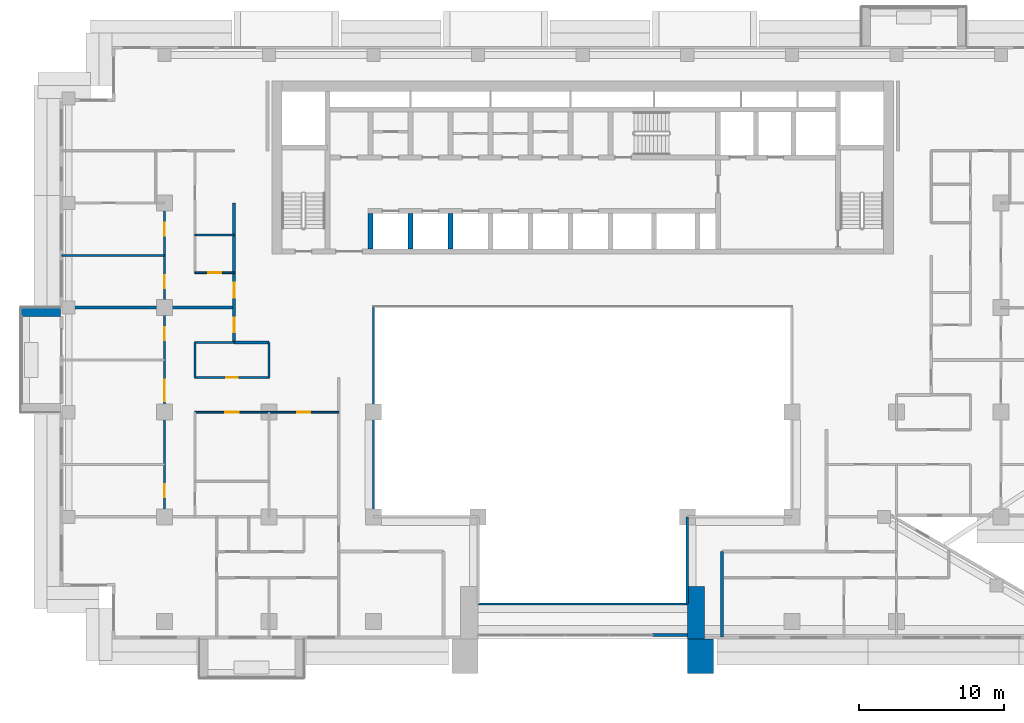
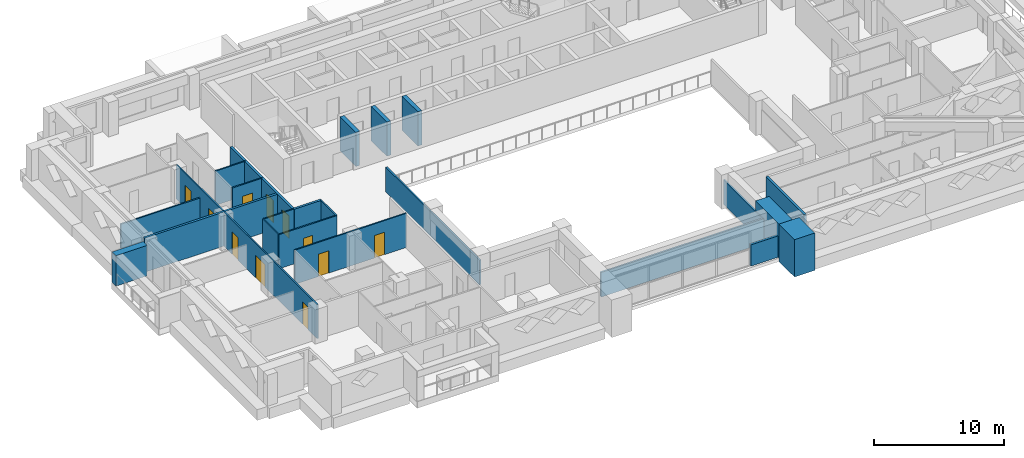
# One storey, part 7 of 19: 23 walls, 11 doors, 11 openings.
"""IFC4 building model written with IfcOpenShell, lengths in metres."""

from ifc_helpers import new_model, si_unit, direction, frame, frame_2d, origin, place, context, subcontext, project, spatial, rectangle, extrude, material, layer, layer_set, type_object, element, fill, save


model = new_model("IFC4")

# Units and contexts
model_context = context("Model", 3, precision=1e-05, world=origin(), true_north=direction((0.0, 1.0)))
body_context = subcontext(model_context, "Body", "Model", "MODEL_VIEW")
ifc_project = project(units=[si_unit("LENGTHUNIT", "METRE"), si_unit("AREAUNIT", "SQUARE_METRE"), si_unit("VOLUMEUNIT", "CUBIC_METRE"), si_unit("PLANEANGLEUNIT", "RADIAN"), si_unit("MASSUNIT", "GRAM", prefix="KILO")], contexts=[model_context])

# Site, building, storey
site_placement = place(None, origin())
site = spatial("IfcSite", under=ifc_project, at=site_placement, CompositionType="ELEMENT")
building_placement = place(site_placement, origin())
building = spatial("IfcBuilding", under=site, at=building_placement, Name="Saffron Iwan Residences", CompositionType="ELEMENT")
storey_placement = place(building_placement, frame((0.0, 0.0, 120.0)))
storey = spatial("IfcBuildingStorey", under=building, at=storey_placement, Name="L31", CompositionType="ELEMENT", Elevation=120.0)

# Walls
ifc_material_1 = material(Name="Fire-rated glazing", Category="glass")
ifc_layer_1 = layer(ifc_material_1, 0.14990234375)
ifc_layer_set_1 = layer_set([ifc_layer_1], Name="Fire-rated glazing")
wall_type_1 = type_object("IfcWallType", Name="Atrium glazed screen 150", PredefinedType="SOLIDWALL", material=ifc_layer_set_1)
wall_1_placement = place(storey_placement, frame((43.199951171875, 42.0, 0.0), z_axis=(0.0, 0.0, 1.0), x_axis=(1.0, 0.0, 0.0)))
element("IfcWall", 1, at=wall_1_placement, inside=storey, type_object=wall_type_1, Name="W-L31-SCREEN-h42-43.2", PredefinedType="SOLIDWALL", context=body_context, shape_type="SweptSolid", body=[
    extrude(rectangle(XDim=14.400146484375, YDim=0.14990234375, at=frame_2d((7.2001953125, 0.0))), origin(), (0.0, 0.0, 1.0), 2.300048828125),
])
wall_2_placement = place(storey_placement, frame((36.0, 48.0, 0.0), z_axis=(0.0, 0.0, 1.0), x_axis=(0.0, 1.0, 0.0)))
element("IfcWall", 2, at=wall_2_placement, inside=storey, type_object=wall_type_1, Name="W-L31-SCREEN-v36-48", PredefinedType="SOLIDWALL", context=body_context, shape_type="SweptSolid", body=[
    extrude(rectangle(XDim=14.39990234375, YDim=0.14990234375, at=frame_2d((7.199951171875, 0.0))), origin(), (0.0, 0.0, 1.0), 2.300048828125),
])
wall_3_placement = place(storey_placement, frame((57.60009765625, 42.0, 0.0), z_axis=(0.0, 0.0, 1.0), x_axis=(0.0, 1.0, 0.0)))
element("IfcWall", 3, at=wall_3_placement, inside=storey, type_object=wall_type_1, Name="W-L31-SCREEN-v57.6-42", PredefinedType="SOLIDWALL", context=body_context, shape_type="SweptSolid", body=[
    extrude(rectangle(XDim=6.0, YDim=0.14990234375, at=frame_2d((3.0, 0.0))), origin(), (0.0, 0.0, 1.0), 2.300048828125),
])
ifc_material_2 = material(Name="Concrete C50/60 white painted", Category="concrete")
ifc_layer_2 = layer(ifc_material_2, 0.60009765625)
ifc_layer_set_2 = layer_set([ifc_layer_2], Name="Concrete C50/60 white painted")
wall_type_2 = type_object("IfcWallType", Name="BALCONY FIN 600", PredefinedType="SOLIDWALL", material=ifc_layer_set_2)
wall_4_placement = place(storey_placement, frame((14.449951171875, 62.10009765625, 0.0), z_axis=(0.0, 0.0, 1.0), x_axis=(-1.0, 0.0, 0.0)))
element("IfcWall", 4, at=wall_4_placement, inside=storey, type_object=wall_type_2, Name="Balcony fin L31 F8-0a", PredefinedType="SOLIDWALL", context=body_context, shape_type="SweptSolid", body=[
    extrude(rectangle(XDim=2.75, YDim=0.60009765625, at=frame_2d((1.375, 0.0))), origin(), (0.0, 0.0, 1.0), 2.85009765625),
])
ifc_material_3 = material(Name="Concrete C40/50", Category="concrete")
ifc_layer_3 = layer(ifc_material_3, 0.199951171875)
ifc_layer_set_3 = layer_set([ifc_layer_3], Name="Concrete C40/50")
wall_type_3 = type_object("IfcWallType", Name="EXTERNAL WALL 200", PredefinedType="SOLIDWALL", material=ifc_layer_set_3)
wall_5_placement = place(storey_placement, frame((55.199951171875, 39.85009765625, 0.0), z_axis=(0.0, 0.0, 1.0), x_axis=(1.0, 0.0, 0.0)))
element("IfcWall", 5, at=wall_5_placement, inside=storey, type_object=wall_type_3, Name="External wall infill CWB-L31-0", PredefinedType="SOLIDWALL", context=body_context, shape_type="SweptSolid", body=[
    extrude(rectangle(XDim=2.400146484375, YDim=0.199951171875, at=frame_2d((1.2001953125, 0.0))), origin(), (0.0, 0.0, 1.0), 2.0),
])
ifc_material_4 = material(Name="Fire-rated gypsum board wall")
ifc_layer_4 = layer(ifc_material_4, 0.199951171875)
ifc_layer_set_4 = layer_set([ifc_layer_4], Name="Fire-rated gypsum board wall")
wall_type_4 = type_object("IfcWallType", Name="Flat demising wall 200", PredefinedType="SOLIDWALL", material=ifc_layer_set_4)
wall_6_placement = place(storey_placement, frame((14.52490234375, 62.39990234375, 0.0), z_axis=(0.0, 0.0, 1.0), x_axis=(1.0, 0.0, 0.0)))
element("IfcWall", 6, at=wall_6_placement, inside=storey, type_object=wall_type_4, Name="W-L31-DEMISE-h62.4-14.525", PredefinedType="SOLIDWALL", context=body_context, shape_type="SweptSolid", body=[
    extrude(rectangle(XDim=11.875, YDim=0.199951171875, at=frame_2d((5.9375, 0.0))), origin(), (0.0, 0.0, 1.0), 3.199951171875),
])

# Wall, openings, doors
ifc_material_5 = material(Name="Gypsum board partition")
ifc_layer_5 = layer(ifc_material_5, 0.1201171875)
ifc_layer_set_5 = layer_set([ifc_layer_5], Name="Gypsum board partition")
wall_type_5 = type_object("IfcWallType", Name="Flat partition 120", PredefinedType="PARTITIONING", material=ifc_layer_set_5)
wall_7_placement = place(storey_placement, frame((23.699951171875, 55.199951171875, 0.0), z_axis=(0.0, 0.0, 1.0), x_axis=(1.0, 0.0, 0.0)))
wall_7 = element("IfcWall", 7, at=wall_7_placement, inside=storey, type_object=wall_type_5, Name="W-L31-PART-h55.2-23.7", PredefinedType="PARTITIONING", context=body_context, shape_type="SweptSolid", body=[
    extrude(rectangle(XDim=9.900146484375, YDim=0.1201171875, at=frame_2d((4.9501953125, 0.0))), origin(), (0.0, 0.0, 1.0), 3.199951171875),
])
opening_1_placement = place(wall_7_placement, frame((2.10009765625, 0.0, 0.0)))
opening_1 = element("IfcOpeningElement", 8, at=opening_1_placement, cuts=wall_7, Name="Opening FD2", PredefinedType="OPENING", context=body_context, shape_type="SweptSolid", body=[
    extrude(rectangle(XDim=0.89990234375, YDim=2.10009765625, at=frame_2d((0.449951171875, 1.050048828125))), frame((0.0, 0.070068359375, 0.0), z_axis=(0.0, -1.0, 0.0), x_axis=(1.0, 0.0, 0.0)), (0.0, 0.0, 1.0), 0.14013671875),
])
opening_2_placement = place(wall_7_placement, frame((7.050048828125, 0.0, 0.0)))
opening_2 = element("IfcOpeningElement", 9, at=opening_2_placement, cuts=wall_7, Name="Opening FD2", PredefinedType="OPENING", context=body_context, shape_type="SweptSolid", body=[
    extrude(rectangle(XDim=0.89990234375, YDim=2.10009765625, at=frame_2d((0.449951171875, 1.050048828125))), frame((0.0, 0.070068359375, 0.0), z_axis=(0.0, -1.0, 0.0), x_axis=(1.0, 0.0, 0.0)), (0.0, 0.0, 1.0), 0.14013671875),
])
ifc_material_6 = material(Name="Timber door", Category="wood")
door_type_1 = type_object("IfcDoorType", Name="Flat door 900", OperationType="NOTDEFINED", PredefinedType="DOOR", material=ifc_material_6)
door_1_placement = place(opening_1_placement, origin())
door_1 = element("IfcDoor", 10, at=door_1_placement, inside=storey, type_object=door_type_1, Name="Door L31-013", OperationType="SINGLE_SWING_LEFT", OverallHeight=2.10009765625, OverallWidth=0.89990234375, PredefinedType="DOOR", context=body_context, shape_type="SweptSolid", body=[
    extrude(rectangle(XDim=0.89990234375, YDim=2.10009765625, at=frame_2d((0.449951171875, 1.050048828125))), frame((0.0, 0.02490234375, 0.0), z_axis=(0.0, -1.0, 0.0), x_axis=(1.0, 0.0, 0.0)), (0.0, 0.0, 1.0), 0.050048828125),
])
fill(opening_1, door_1)
door_2_placement = place(opening_2_placement, origin())
door_2 = element("IfcDoor", 11, at=door_2_placement, inside=storey, type_object=door_type_1, Name="Door L31-015", OperationType="SINGLE_SWING_RIGHT", OverallHeight=2.10009765625, OverallWidth=0.89990234375, PredefinedType="DOOR", context=body_context, shape_type="SweptSolid", body=[
    extrude(rectangle(XDim=0.89990234375, YDim=2.10009765625, at=frame_2d((0.449951171875, 1.050048828125))), frame((0.0, 0.02490234375, 0.0), z_axis=(0.0, -1.0, 0.0), x_axis=(1.0, 0.0, 0.0)), (0.0, 0.0, 1.0), 0.050048828125),
])
fill(opening_2, door_2)

# Wall, opening, door
wall_8_placement = place(storey_placement, frame((23.699951171875, 57.60009765625, 0.0), z_axis=(0.0, 0.0, 1.0), x_axis=(1.0, 0.0, 0.0)))
wall_8 = element("IfcWall", 12, at=wall_8_placement, inside=storey, type_object=wall_type_5, Name="W-L31-PART-h57.6-23.7", PredefinedType="PARTITIONING", context=body_context, shape_type="SweptSolid", body=[
    extrude(rectangle(XDim=5.10009765625, YDim=0.1201171875, at=frame_2d((2.550048828125, 0.0))), origin(), (0.0, 0.0, 1.0), 3.199951171875),
])
opening_3_placement = place(wall_8_placement, frame((2.14990234375, 0.0, 0.0)))
opening_3 = element("IfcOpeningElement", 13, at=opening_3_placement, cuts=wall_8, Name="Opening FD3", PredefinedType="OPENING", context=body_context, shape_type="SweptSolid", body=[
    extrude(rectangle(XDim=0.800048828125, YDim=2.10009765625, at=frame_2d((0.39990234375, 1.050048828125))), frame((0.0, 0.070068359375, 0.0), z_axis=(0.0, -1.0, 0.0), x_axis=(1.0, 0.0, 0.0)), (0.0, 0.0, 1.0), 0.14013671875),
])
door_type_2 = type_object("IfcDoorType", Name="Bathroom door 800", OperationType="NOTDEFINED", PredefinedType="DOOR", material=ifc_material_6)
door_3_placement = place(opening_3_placement, origin())
door_3 = element("IfcDoor", 14, at=door_3_placement, inside=storey, type_object=door_type_2, Name="Door L31-014", OperationType="SINGLE_SWING_LEFT", OverallHeight=2.10009765625, OverallWidth=0.800048828125, PredefinedType="DOOR", context=body_context, shape_type="SweptSolid", body=[
    extrude(rectangle(XDim=0.800048828125, YDim=2.10009765625, at=frame_2d((0.39990234375, 1.050048828125))), frame((0.0, 0.02490234375, 0.0), z_axis=(0.0, -1.0, 0.0), x_axis=(1.0, 0.0, 0.0)), (0.0, 0.0, 1.0), 0.050048828125),
])
fill(opening_3, door_3)

# Wall
wall_9_placement = place(storey_placement, frame((23.699951171875, 60.0, 0.0), z_axis=(0.0, 0.0, 1.0), x_axis=(1.0, 0.0, 0.0)))
element("IfcWall", 15, at=wall_9_placement, inside=storey, type_object=wall_type_5, Name="W-L31-PART-h60-23.7", PredefinedType="PARTITIONING", context=body_context, shape_type="SweptSolid", body=[
    extrude(rectangle(XDim=2.699951171875, YDim=0.1201171875, at=frame_2d((1.35009765625, 0.0))), origin(), (0.0, 0.0, 1.0), 3.199951171875),
])

# Wall, opening, door
wall_10_placement = place(storey_placement, frame((23.699951171875, 64.800048828125, 0.0), z_axis=(0.0, 0.0, 1.0), x_axis=(1.0, 0.0, 0.0)))
wall_10 = element("IfcWall", 16, at=wall_10_placement, inside=storey, type_object=wall_type_5, Name="W-L31-PART-h64.8-23.7", PredefinedType="PARTITIONING", context=body_context, shape_type="SweptSolid", body=[
    extrude(rectangle(XDim=2.699951171875, YDim=0.1201171875, at=frame_2d((1.35009765625, 0.0))), origin(), (0.0, 0.0, 1.0), 3.199951171875),
])
opening_4_placement = place(wall_10_placement, frame((0.89990234375, 0.0, 0.0)))
opening_4 = element("IfcOpeningElement", 17, at=opening_4_placement, cuts=wall_10, Name="Opening FD2", PredefinedType="OPENING", context=body_context, shape_type="SweptSolid", body=[
    extrude(rectangle(XDim=0.89990234375, YDim=2.10009765625, at=frame_2d((0.449951171875, 1.050048828125))), frame((0.0, 0.070068359375, 0.0), z_axis=(0.0, -1.0, 0.0), x_axis=(1.0, 0.0, 0.0)), (0.0, 0.0, 1.0), 0.14013671875),
])
door_4_placement = place(opening_4_placement, origin())
door_4 = element("IfcDoor", 18, at=door_4_placement, inside=storey, type_object=door_type_1, Name="Door L31-027", OperationType="SINGLE_SWING_RIGHT", OverallHeight=2.10009765625, OverallWidth=0.89990234375, PredefinedType="DOOR", context=body_context, shape_type="SweptSolid", body=[
    extrude(rectangle(XDim=0.89990234375, YDim=2.10009765625, at=frame_2d((0.449951171875, 1.050048828125))), frame((0.0, 0.02490234375, 0.0), z_axis=(0.0, -1.0, 0.0), x_axis=(1.0, 0.0, 0.0)), (0.0, 0.0, 1.0), 0.050048828125),
])
fill(opening_4, door_4)

# Walls
wall_11_placement = place(storey_placement, frame((14.52490234375, 66.0, 0.0), z_axis=(0.0, 0.0, 1.0), x_axis=(1.0, 0.0, 0.0)))
element("IfcWall", 19, at=wall_11_placement, inside=storey, type_object=wall_type_5, Name="W-L31-PART-h66-14.525", PredefinedType="PARTITIONING", context=body_context, shape_type="SweptSolid", body=[
    extrude(rectangle(XDim=7.0751953125, YDim=0.1201171875, at=frame_2d((3.53759765625, 0.0))), origin(), (0.0, 0.0, 1.0), 2.300048828125),
])
wall_12_placement = place(storey_placement, frame((23.699951171875, 67.39990234375, 0.0), z_axis=(0.0, 0.0, 1.0), x_axis=(1.0, 0.0, 0.0)))
element("IfcWall", 20, at=wall_12_placement, inside=storey, type_object=wall_type_5, Name="W-L31-PART-h67.4-23.7", PredefinedType="PARTITIONING", context=body_context, shape_type="SweptSolid", body=[
    extrude(rectangle(XDim=2.699951171875, YDim=0.1201171875, at=frame_2d((1.35009765625, 0.0))), origin(), (0.0, 0.0, 1.0), 3.199951171875),
])

# Wall, openings, doors
wall_13_placement = place(storey_placement, frame((21.60009765625, 48.0, 0.0), z_axis=(0.0, 0.0, 1.0), x_axis=(0.0, 1.0, 0.0)))
wall_13 = element("IfcWall", 21, at=wall_13_placement, inside=storey, type_object=wall_type_5, Name="W-L31-PART-v21.6-48", PredefinedType="PARTITIONING", context=body_context, shape_type="SweptSolid", body=[
    extrude(rectangle(XDim=21.60009765625, YDim=0.1201171875, at=frame_2d((10.800048828125, 0.0))), origin(), (0.0, 0.0, 1.0), 3.199951171875),
])
opening_5_placement = place(wall_13_placement, frame((1.35009765625, 0.0, 0.0)))
opening_5 = element("IfcOpeningElement", 22, at=opening_5_placement, cuts=wall_13, Name="Opening FD2", PredefinedType="OPENING", context=body_context, shape_type="SweptSolid", body=[
    extrude(rectangle(XDim=0.89990234375, YDim=2.10009765625, at=frame_2d((0.449951171875, 1.050048828125))), frame((0.0, 0.070068359375, 0.0), z_axis=(0.0, -1.0, 0.0), x_axis=(1.0, 0.0, 0.0)), (0.0, 0.0, 1.0), 0.14013671875),
])
opening_6_placement = place(wall_13_placement, frame((7.949951171875, 0.0, 0.0)))
opening_6 = element("IfcOpeningElement", 23, at=opening_6_placement, cuts=wall_13, Name="Opening FD4", PredefinedType="OPENING", context=body_context, shape_type="SweptSolid", body=[
    extrude(rectangle(XDim=1.5, YDim=2.10009765625, at=frame_2d((0.75, 1.050048828125))), frame((0.0, 0.070068359375, 0.0), z_axis=(0.0, -1.0, 0.0), x_axis=(1.0, 0.0, 0.0)), (0.0, 0.0, 1.0), 0.14013671875),
])
opening_7_placement = place(wall_13_placement, frame((12.14990234375, 0.0, 0.0)))
opening_7 = element("IfcOpeningElement", 24, at=opening_7_placement, cuts=wall_13, Name="Opening FD2", PredefinedType="OPENING", context=body_context, shape_type="SweptSolid", body=[
    extrude(rectangle(XDim=0.89990234375, YDim=2.10009765625, at=frame_2d((0.449951171875, 1.050048828125))), frame((0.0, 0.070068359375, 0.0), z_axis=(0.0, -1.0, 0.0), x_axis=(1.0, 0.0, 0.0)), (0.0, 0.0, 1.0), 0.14013671875),
])
opening_8_placement = place(wall_13_placement, frame((15.75, 0.0, 0.0)))
opening_8 = element("IfcOpeningElement", 25, at=opening_8_placement, cuts=wall_13, Name="Opening FD2", PredefinedType="OPENING", context=body_context, shape_type="SweptSolid", body=[
    extrude(rectangle(XDim=0.89990234375, YDim=2.10009765625, at=frame_2d((0.449951171875, 1.050048828125))), frame((0.0, 0.070068359375, 0.0), z_axis=(0.0, -1.0, 0.0), x_axis=(1.0, 0.0, 0.0)), (0.0, 0.0, 1.0), 0.14013671875),
])
opening_9_placement = place(wall_13_placement, frame((19.35009765625, 0.0, 0.0)))
opening_9 = element("IfcOpeningElement", 26, at=opening_9_placement, cuts=wall_13, Name="Opening FD2", PredefinedType="OPENING", context=body_context, shape_type="SweptSolid", body=[
    extrude(rectangle(XDim=0.89990234375, YDim=2.10009765625, at=frame_2d((0.449951171875, 1.050048828125))), frame((0.0, 0.070068359375, 0.0), z_axis=(0.0, -1.0, 0.0), x_axis=(1.0, 0.0, 0.0)), (0.0, 0.0, 1.0), 0.14013671875),
])
door_type_3 = type_object("IfcDoorType", Name="Double door 1500", OperationType="NOTDEFINED", PredefinedType="DOOR", material=ifc_material_6)
door_5_placement = place(opening_6_placement, origin())
door_5 = element("IfcDoor", 27, at=door_5_placement, inside=storey, type_object=door_type_3, Name="Door L31-010", OperationType="SINGLE_SWING_RIGHT", OverallHeight=2.10009765625, OverallWidth=1.5, PredefinedType="DOOR", context=body_context, shape_type="SweptSolid", body=[
    extrude(rectangle(XDim=1.5, YDim=2.10009765625, at=frame_2d((0.75, 1.050048828125))), frame((0.0, 0.02490234375, 0.0), z_axis=(0.0, -1.0, 0.0), x_axis=(1.0, 0.0, 0.0)), (0.0, 0.0, 1.0), 0.050048828125),
])
fill(opening_6, door_5)
door_6_placement = place(opening_5_placement, origin())
door_6 = element("IfcDoor", 28, at=door_6_placement, inside=storey, type_object=door_type_1, Name="Door L31-009", OperationType="SINGLE_SWING_RIGHT", OverallHeight=2.10009765625, OverallWidth=0.89990234375, PredefinedType="DOOR", context=body_context, shape_type="SweptSolid", body=[
    extrude(rectangle(XDim=0.89990234375, YDim=2.10009765625, at=frame_2d((0.449951171875, 1.050048828125))), frame((0.0, 0.02490234375, 0.0), z_axis=(0.0, -1.0, 0.0), x_axis=(1.0, 0.0, 0.0)), (0.0, 0.0, 1.0), 0.050048828125),
])
fill(opening_5, door_6)
door_7_placement = place(opening_7_placement, origin())
door_7 = element("IfcDoor", 29, at=door_7_placement, inside=storey, type_object=door_type_1, Name="Door L31-011", OperationType="SINGLE_SWING_LEFT", OverallHeight=2.10009765625, OverallWidth=0.89990234375, PredefinedType="DOOR", context=body_context, shape_type="SweptSolid", body=[
    extrude(rectangle(XDim=0.89990234375, YDim=2.10009765625, at=frame_2d((0.449951171875, 1.050048828125))), frame((0.0, 0.02490234375, 0.0), z_axis=(0.0, -1.0, 0.0), x_axis=(1.0, 0.0, 0.0)), (0.0, 0.0, 1.0), 0.050048828125),
])
fill(opening_7, door_7)
door_8_placement = place(opening_8_placement, origin())
door_8 = element("IfcDoor", 30, at=door_8_placement, inside=storey, type_object=door_type_1, Name="Door L31-023", OperationType="SINGLE_SWING_LEFT", OverallHeight=2.10009765625, OverallWidth=0.89990234375, PredefinedType="DOOR", context=body_context, shape_type="SweptSolid", body=[
    extrude(rectangle(XDim=0.89990234375, YDim=2.10009765625, at=frame_2d((0.449951171875, 1.050048828125))), frame((0.0, 0.02490234375, 0.0), z_axis=(0.0, -1.0, 0.0), x_axis=(1.0, 0.0, 0.0)), (0.0, 0.0, 1.0), 0.050048828125),
])
fill(opening_8, door_8)
door_9_placement = place(opening_9_placement, origin())
door_9 = element("IfcDoor", 31, at=door_9_placement, inside=storey, type_object=door_type_1, Name="Door L31-024", OperationType="SINGLE_SWING_RIGHT", OverallHeight=2.10009765625, OverallWidth=0.89990234375, PredefinedType="DOOR", context=body_context, shape_type="SweptSolid", body=[
    extrude(rectangle(XDim=0.89990234375, YDim=2.10009765625, at=frame_2d((0.449951171875, 1.050048828125))), frame((0.0, 0.02490234375, 0.0), z_axis=(0.0, -1.0, 0.0), x_axis=(1.0, 0.0, 0.0)), (0.0, 0.0, 1.0), 0.050048828125),
])
fill(opening_9, door_9)

# Walls
for number, where, z_axis, x_axis, name in (
    (32, (23.699951171875, 57.60009765625, 0.0), (0.0, 0.0, 1.0), (0.0, 1.0, 0.0), "W-L31-PART-v23.7-57.6"),
    (33, (28.800048828125, 57.60009765625, 0.0), (0.0, 0.0, 1.0), (0.0, 1.0, 0.0), "W-L31-PART-v28.8-57.6"),
):
    element("IfcWall", number, at=place(storey_placement, frame(where, z_axis=z_axis, x_axis=x_axis)), inside=storey, type_object=wall_type_5, Name=name, PredefinedType="PARTITIONING", context=body_context, shape_type="SweptSolid", body=[
        extrude(rectangle(XDim=2.39990234375, YDim=0.1201171875, at=frame_2d((1.199951171875, 0.0))), origin(), (0.0, 0.0, 1.0), 3.199951171875),
    ])
ifc_layer_6 = layer(ifc_material_4, 0.199951171875)
ifc_layer_set_6 = layer_set([ifc_layer_6], Name="Fire-rated gypsum board wall")
wall_type_6 = type_object("IfcWallType", Name="Gallery wall 200", PredefinedType="SOLIDWALL", material=ifc_layer_set_6)
wall_14_placement = place(storey_placement, frame((26.39990234375, 60.0, 0.0), z_axis=(0.0, 0.0, 1.0), x_axis=(1.0, 0.0, 0.0)))
element("IfcWall", 34, at=wall_14_placement, inside=storey, type_object=wall_type_6, Name="W-L31-CORR-h60-26.4", PredefinedType="SOLIDWALL", context=body_context, shape_type="SweptSolid", body=[
    extrude(rectangle(XDim=2.400146484375, YDim=0.199951171875, at=frame_2d((1.2001953125, 0.0))), origin(), (0.0, 0.0, 1.0), 3.199951171875),
])

# Wall, openings, doors
wall_15_placement = place(storey_placement, frame((26.39990234375, 60.0, 0.0), z_axis=(0.0, 0.0, 1.0), x_axis=(0.0, 1.0, 0.0)))
wall_15 = element("IfcWall", 35, at=wall_15_placement, inside=storey, type_object=wall_type_6, Name="W-L31-CORR-v26.4-60", PredefinedType="SOLIDWALL", context=body_context, shape_type="SweptSolid", body=[
    extrude(rectangle(XDim=9.60009765625, YDim=0.199951171875, at=frame_2d((4.800048828125, 0.0))), origin(), (0.0, 0.0, 1.0), 3.199951171875),
])
opening_10_placement = place(wall_15_placement, frame((0.699951171875, 0.0, 0.0)))
opening_10 = element("IfcOpeningElement", 36, at=opening_10_placement, cuts=wall_15, Name="Opening FD1", PredefinedType="OPENING", context=body_context, shape_type="SweptSolid", body=[
    extrude(rectangle(XDim=1.0, YDim=2.10009765625, at=frame_2d((0.5, 1.050048828125))), frame((0.0, 0.10986328125, 0.0), z_axis=(0.0, -1.0, 0.0), x_axis=(1.0, 0.0, 0.0)), (0.0, 0.0, 1.0), 0.219970703125),
])
opening_11_placement = place(wall_15_placement, frame((3.10009765625, 0.0, 0.0)))
opening_11 = element("IfcOpeningElement", 37, at=opening_11_placement, cuts=wall_15, Name="Opening FD1", PredefinedType="OPENING", context=body_context, shape_type="SweptSolid", body=[
    extrude(rectangle(XDim=1.0, YDim=2.10009765625, at=frame_2d((0.5, 1.050048828125))), frame((0.0, 0.10986328125, 0.0), z_axis=(0.0, -1.0, 0.0), x_axis=(1.0, 0.0, 0.0)), (0.0, 0.0, 1.0), 0.219970703125),
])
ifc_material_7 = material(Name="Fire-rated timber door", Category="wood")
door_type_4 = type_object("IfcDoorType", Name="FD30S flat entrance door 1000", OperationType="NOTDEFINED", PredefinedType="DOOR", material=ifc_material_7)
door_10_placement = place(opening_10_placement, origin())
door_10 = element("IfcDoor", 38, at=door_10_placement, inside=storey, type_object=door_type_4, Name="Door L31-008", OperationType="SINGLE_SWING_LEFT", OverallHeight=2.10009765625, OverallWidth=1.0, PredefinedType="DOOR", context=body_context, shape_type="SweptSolid", body=[
    extrude(rectangle(XDim=1.0, YDim=2.10009765625, at=frame_2d((0.5, 1.050048828125))), frame((0.0, 0.02490234375, 0.0), z_axis=(0.0, -1.0, 0.0), x_axis=(1.0, 0.0, 0.0)), (0.0, 0.0, 1.0), 0.050048828125),
])
fill(opening_10, door_10)
door_11_placement = place(opening_11_placement, origin())
door_11 = element("IfcDoor", 39, at=door_11_placement, inside=storey, type_object=door_type_4, Name="Door L31-022", OperationType="SINGLE_SWING_LEFT", OverallHeight=2.10009765625, OverallWidth=1.0, PredefinedType="DOOR", context=body_context, shape_type="SweptSolid", body=[
    extrude(rectangle(XDim=1.0, YDim=2.10009765625, at=frame_2d((0.5, 1.050048828125))), frame((0.0, 0.02490234375, 0.0), z_axis=(0.0, -1.0, 0.0), x_axis=(1.0, 0.0, 0.0)), (0.0, 0.0, 1.0), 0.050048828125),
])
fill(opening_11, door_11)

# Walls
wall_16_placement = place(storey_placement, frame((60.0, 39.72509765625, 0.0), z_axis=(0.0, 0.0, 1.0), x_axis=(0.0, 1.0, 0.0)))
element("IfcWall", 40, at=wall_16_placement, inside=storey, type_object=wall_type_6, Name="W-L31-CORR-v60-39.725", PredefinedType="SOLIDWALL", context=body_context, shape_type="SweptSolid", body=[
    extrude(rectangle(XDim=5.875, YDim=0.199951171875, at=frame_2d((2.9375, 0.0))), origin(), (0.0, 0.0, 1.0), 3.199951171875),
])
ifc_material_8 = material(Name="Terracotta screen, precast concrete C40/50", Category="masonry")
ifc_layer_7 = layer(ifc_material_8, 1.800048828125)
ifc_layer_set_7 = layer_set([ifc_layer_7], Name="Terracotta screen, precast concrete C40/50")
wall_type_7 = type_object("IfcWallType", Name="Portal pier, precast concrete 1800 (tower)", PredefinedType="SOLIDWALL", material=ifc_layer_set_7)
wall_17_placement = place(storey_placement, frame((58.5, 37.199951171875, -0.300048828125), z_axis=(0.0, 0.0, 1.0), x_axis=(0.0, 1.0, 0.0)))
element("IfcWall", 41, at=wall_17_placement, inside=storey, type_object=wall_type_7, Name="Portal pier E L31", PredefinedType="SOLIDWALL", context=body_context, shape_type="SweptSolid", body=[
    extrude(rectangle(XDim=2.400146484375, YDim=1.800048828125, at=frame_2d((1.2001953125, 0.0))), origin(), (0.0, 0.0, 1.0), 3.5),
])
ifc_material_9 = material(Name="Concrete C50/60", Category="concrete")
ifc_layer_8 = layer(ifc_material_9, 0.35009765625)
ifc_layer_set_8 = layer_set([ifc_layer_8], Name="Concrete C50/60")
wall_type_8 = type_object("IfcWallType", Name="WALL CORE 350 C50/60 3200 HIGH", PredefinedType="SHEAR", material=ifc_layer_set_8)
for number, where, z_axis, x_axis, name in (
    (42, (35.800048828125, 66.449951171875, 0.0), (0.0, 0.0, 1.0), (0.0, 1.0, 0.0), "Core wall"),
    (43, (38.550048828125, 66.449951171875, 0.0), (0.0, 0.0, 1.0), (0.0, 1.0, 0.0), "Core wall"),
    (44, (41.300048828125, 66.449951171875, 0.0), (0.0, 0.0, 1.0), (0.0, 1.0, 0.0), "Core wall"),
):
    element("IfcWall", number, at=place(storey_placement, frame(where, z_axis=z_axis, x_axis=x_axis)), inside=storey, type_object=wall_type_8, Name=name, PredefinedType="SHEAR", context=body_context, shape_type="SweptSolid", body=[
        extrude(rectangle(XDim=2.425048828125, YDim=0.35009765625, at=frame_2d((1.21240234375, 0.0))), origin(), (0.0, 0.0, 1.0), 3.199951171875),
    ])
ifc_layer_9 = layer(ifc_material_9, 1.199951171875)
ifc_layer_set_9 = layer_set([ifc_layer_9], Name="Concrete C50/60")
wall_type_9 = type_object("IfcWallType", Name="WALL IWAN PIER 1200 C50/60 3200 HIGH", PredefinedType="SHEAR", material=ifc_layer_set_9)
wall_18_placement = place(storey_placement, frame((58.199951171875, 39.60009765625, 0.0), z_axis=(0.0, 0.0, 1.0), x_axis=(0.0, 1.0, 0.0)))
element("IfcWall", 45, at=wall_18_placement, inside=storey, type_object=wall_type_9, Name="IWAN PIER", PredefinedType="SHEAR", context=body_context, shape_type="SweptSolid", body=[
    extrude(rectangle(XDim=3.599853515625, YDim=1.199951171875, at=frame_2d((1.7998046875, 0.0))), origin(), (0.0, 0.0, 1.0), 3.199951171875),
])

save(model, "model.ifc")
